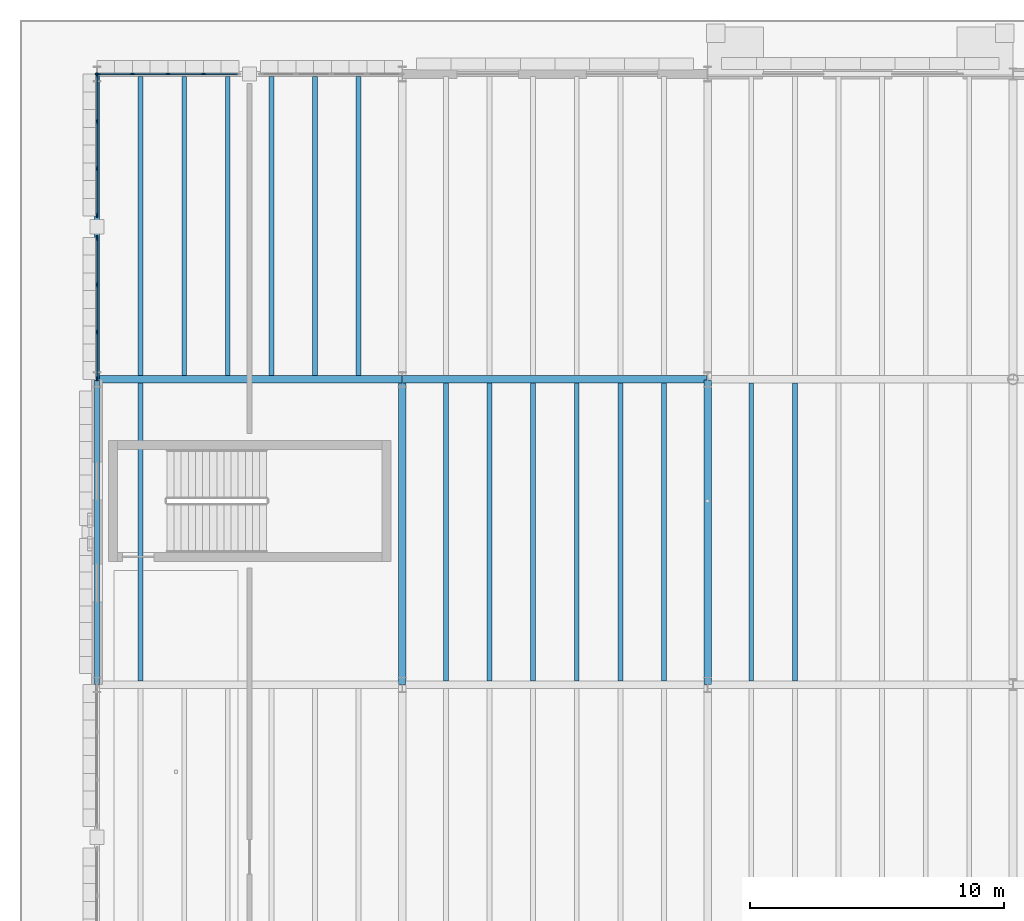
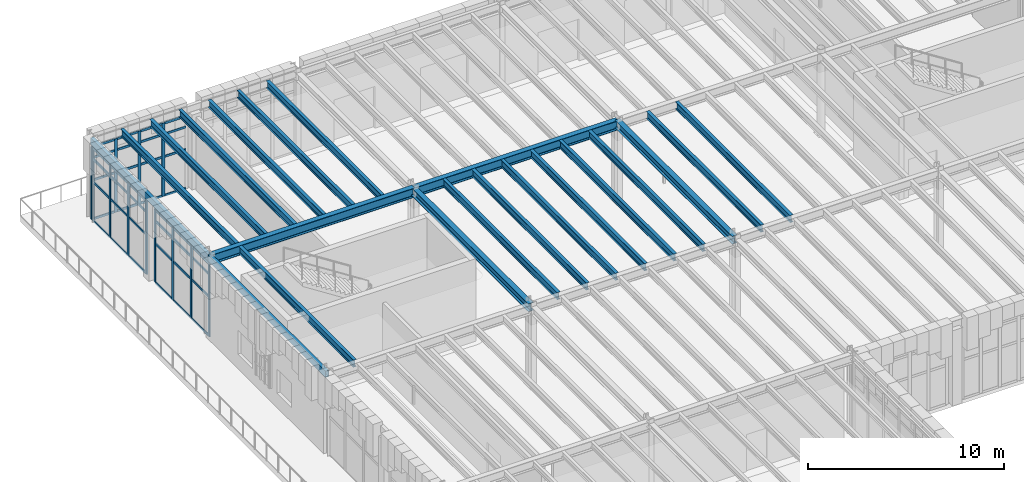
# One storey, part 22 of 103: 52 members, 21 beams, 3 elements without a shape of their own.
"""IFC4 building model written with IfcOpenShell, lengths in metres."""

from ifc_helpers import new_model, si_unit, direction, frame, origin, origin_2d, place, context, subcontext, project, spatial, rectangle, hollow_rectangle, i_section, extrude, material, layer, layer_set, material_profile, profile_set, type_object, element, aggregate, save


model = new_model("IFC4")

# Units and contexts
model_context = context("Model", 3, precision=1e-05, world=origin(), true_north=direction((0.0, 1.0)))
body_context = subcontext(model_context, "Body", "Model", "MODEL_VIEW")
ifc_project = project(units=[si_unit("LENGTHUNIT", "METRE"), si_unit("AREAUNIT", "SQUARE_METRE"), si_unit("VOLUMEUNIT", "CUBIC_METRE"), si_unit("PLANEANGLEUNIT", "RADIAN"), si_unit("MASSUNIT", "GRAM", prefix="KILO")], contexts=[model_context])

# Site, building, storey
site_placement = place(None, origin())
site = spatial("IfcSite", under=ifc_project, at=site_placement, CompositionType="ELEMENT")
building_placement = place(site_placement, origin())
building = spatial("IfcBuilding", under=site, at=building_placement, Name="Zlatogorsky Bluff Art Gallery", CompositionType="ELEMENT")
storey_placement = place(building_placement, origin())
storey = spatial("IfcBuildingStorey", under=building, at=storey_placement, Name="L00", CompositionType="ELEMENT", Elevation=0.0)

# Beams
ifc_material_1 = material(Name="Steel S355", Category="steel")
ifc_material_profile_1 = material_profile(ifc_material_1, i_section(OverallWidth=0.300048828125, OverallDepth=0.590087890625, WebThickness=0.012939453125, FlangeThickness=0.02490234375, FilletRadius=0.027099609375, at=origin_2d()), Name="HEA 600")
ifc_profile_set_1 = profile_set([ifc_material_profile_1], Name="Steel S355")
beam_type_1 = type_object("IfcBeamType", Name="Beam BM-05 HEA 600", PredefinedType="BEAM", material=ifc_profile_set_1)
for number, where, z_axis, x_axis, name in (
    (1, (0.014892578125, 108.0, 4.844970703125), (1.0, 0.0, 0.0), (0.0, 1.0, 0.0), "Primary girder BM-05 L00 A-B/11"),
    (2, (12.014892578125, 108.0, 4.844970703125), (1.0, 0.0, 0.0), (0.0, 1.0, 0.0), "Primary girder BM-05 L00 B-C/11"),
):
    element("IfcBeam", number, at=place(storey_placement, frame(where, z_axis=z_axis, x_axis=x_axis)), inside=storey, type_object=beam_type_1, Name=name, PredefinedType="BEAM", context=body_context, shape_type="SweptSolid", body=[
        extrude(i_section(OverallWidth=0.300048828125, OverallDepth=0.590087890625, WebThickness=0.012939453125, FlangeThickness=0.02490234375, FilletRadius=0.027099609375, at=origin_2d()), origin(), (0.0, 0.0, 1.0), 11.97021484375),
    ])
ifc_material_profile_2 = material_profile(ifc_material_1, i_section(OverallWidth=0.300048828125, OverallDepth=0.489990234375, WebThickness=0.011962890625, FlangeThickness=0.02294921875, FilletRadius=0.027099609375, at=origin_2d()), Name="HEA 500")
ifc_profile_set_2 = profile_set([ifc_material_profile_2], Name="Steel S355")
beam_type_2 = type_object("IfcBeamType", Name="Beam BM-07 HEA 500", PredefinedType="BEAM", material=ifc_profile_set_2)
for number, where, z_axis, x_axis, name in (
    (3, (12.0, 96.014892578125, 4.89501953125), (0.0, 1.0, 0.0), (-1.0, 0.0, 0.0), "Primary girder BM-07 L00 B/10-11"),
    (4, (24.0, 96.014892578125, 4.89501953125), (0.0, 1.0, 0.0), (-1.0, 0.0, 0.0), "Primary girder BM-07 L00 C/10-11"),
):
    element("IfcBeam", number, at=place(storey_placement, frame(where, z_axis=z_axis, x_axis=x_axis)), inside=storey, type_object=beam_type_2, Name=name, PredefinedType="BEAM", context=body_context, shape_type="SweptSolid", body=[
        extrude(i_section(OverallWidth=0.300048828125, OverallDepth=0.489990234375, WebThickness=0.011962890625, FlangeThickness=0.02294921875, FilletRadius=0.027099609375, at=origin_2d()), origin(), (0.0, 0.0, 1.0), 11.97021484375),
    ])
ifc_material_profile_3 = material_profile(ifc_material_1, i_section(OverallWidth=0.18994140625, OverallDepth=0.449951171875, WebThickness=0.009521484375, FlangeThickness=0.0146484375, FilletRadius=0.02099609375, at=origin_2d()), Name="IPE 450")
ifc_profile_set_3 = profile_set([ifc_material_profile_3], Name="Steel S355")
beam_type_3 = type_object("IfcBeamType", Name="Beam JS-06 IPE 450", PredefinedType="JOIST", material=ifc_profile_set_3)
beam_placement = place(storey_placement, frame((1.71435546875, 96.14990234375, 4.9150390625), z_axis=(0.0, 1.0, 0.0), x_axis=(-1.0, 0.0, 0.0)))
element("IfcBeam", 5, at=beam_placement, inside=storey, type_object=beam_type_3, Name="Composite floor joist JS-06 L00 00.09.1", PredefinedType="JOIST", context=body_context, shape_type="SweptSolid", body=[
    extrude(i_section(OverallWidth=0.18994140625, OverallDepth=0.449951171875, WebThickness=0.009521484375, FlangeThickness=0.0146484375, FilletRadius=0.02099609375, at=origin_2d()), origin(), (0.0, 0.0, 1.0), 11.7001953125),
])
for number, where, z_axis, x_axis, name in (
    (6, (1.71435546875, 108.14990234375, 4.9150390625), (0.0, 1.0, 0.0), (-1.0, 0.0, 0.0), "Composite floor joist JS-06 L00 00.10.1"),
    (7, (3.428466796875, 108.14990234375, 4.9150390625), (0.0, 1.0, 0.0), (-1.0, 0.0, 0.0), "Composite floor joist JS-06 L00 00.10.2"),
    (8, (5.142822265625, 108.14990234375, 4.9150390625), (0.0, 1.0, 0.0), (-1.0, 0.0, 0.0), "Composite floor joist JS-06 L00 00.10.3"),
    (9, (6.857177734375, 108.14990234375, 4.9150390625), (0.0, 1.0, 0.0), (-1.0, 0.0, 0.0), "Composite floor joist JS-06 L00 00.10.4"),
    (10, (8.571533203125, 108.14990234375, 4.9150390625), (0.0, 1.0, 0.0), (-1.0, 0.0, 0.0), "Composite floor joist JS-06 L00 00.10.5"),
    (11, (10.28564453125, 108.14990234375, 4.9150390625), (0.0, 1.0, 0.0), (-1.0, 0.0, 0.0), "Composite floor joist JS-06 L00 00.10.6"),
):
    element("IfcBeam", number, at=place(storey_placement, frame(where, z_axis=z_axis, x_axis=x_axis)), inside=storey, type_object=beam_type_3, Name=name, PredefinedType="JOIST", context=body_context, shape_type="SweptSolid", body=[
        extrude(i_section(OverallWidth=0.18994140625, OverallDepth=0.449951171875, WebThickness=0.009521484375, FlangeThickness=0.0146484375, FilletRadius=0.02099609375, at=origin_2d()), origin(), (0.0, 0.0, 1.0), 11.75),
    ])
for number, where, z_axis, x_axis, name in (
    (12, (13.71435546875, 96.14990234375, 4.9150390625), (0.0, 1.0, 0.0), (-1.0, 0.0, 0.0), "Composite floor joist JS-06 L00 01.09.1"),
    (13, (15.428466796875, 96.14990234375, 4.9150390625), (0.0, 1.0, 0.0), (-1.0, 0.0, 0.0), "Composite floor joist JS-06 L00 01.09.2"),
    (14, (17.142822265625, 96.14990234375, 4.9150390625), (0.0, 1.0, 0.0), (-1.0, 0.0, 0.0), "Composite floor joist JS-06 L00 01.09.3"),
    (15, (18.857177734375, 96.14990234375, 4.9150390625), (0.0, 1.0, 0.0), (-1.0, 0.0, 0.0), "Composite floor joist JS-06 L00 01.09.4"),
    (16, (20.571533203125, 96.14990234375, 4.9150390625), (0.0, 1.0, 0.0), (-1.0, 0.0, 0.0), "Composite floor joist JS-06 L00 01.09.5"),
    (17, (22.28564453125, 96.14990234375, 4.9150390625), (0.0, 1.0, 0.0), (-1.0, 0.0, 0.0), "Composite floor joist JS-06 L00 01.09.6"),
    (18, (25.71435546875, 96.14990234375, 4.9150390625), (0.0, 1.0, 0.0), (-1.0, 0.0, 0.0), "Composite floor joist JS-06 L00 02.09.1"),
    (19, (27.428466796875, 96.14990234375, 4.9150390625), (0.0, 1.0, 0.0), (-1.0, 0.0, 0.0), "Composite floor joist JS-06 L00 02.09.2"),
):
    element("IfcBeam", number, at=place(storey_placement, frame(where, z_axis=z_axis, x_axis=x_axis)), inside=storey, type_object=beam_type_3, Name=name, PredefinedType="JOIST", context=body_context, shape_type="SweptSolid", body=[
        extrude(i_section(OverallWidth=0.18994140625, OverallDepth=0.449951171875, WebThickness=0.009521484375, FlangeThickness=0.0146484375, FilletRadius=0.02099609375, at=origin_2d()), origin(), (0.0, 0.0, 1.0), 11.7001953125),
    ])
ifc_material_profile_4 = material_profile(ifc_material_1, hollow_rectangle(XDim=0.199951171875, YDim=0.39990234375, WallThickness=0.01611328125, at=origin_2d()), Name="RHS 400x200x16")
ifc_profile_set_4 = profile_set([ifc_material_profile_4], Name="Steel S355")
beam_type_4 = type_object("IfcBeamType", Name="Beam SP-02 RHS 400x200x16", PredefinedType="SPANDREL", material=ifc_profile_set_4)
for number, where, z_axis, x_axis, name in (
    (20, (0.0, 96.014892578125, 4.93994140625), (0.0, 1.0, 0.0), (-1.0, 0.0, 0.0), "Primary girder SP-02 L00 A/10-11"),
    (21, (0.0, 108.014892578125, 4.93994140625), (0.0, 1.0, 0.0), (-1.0, 0.0, 0.0), "Primary girder SP-02 L00 A/11-12"),
):
    element("IfcBeam", number, at=place(storey_placement, frame(where, z_axis=z_axis, x_axis=x_axis)), inside=storey, type_object=beam_type_4, Name=name, PredefinedType="SPANDREL", context=body_context, shape_type="SweptSolid", body=[
        extrude(hollow_rectangle(XDim=0.199951171875, YDim=0.39990234375, WallThickness=0.01611328125, at=origin_2d()), origin(), (0.0, 0.0, 1.0), 11.97021484375),
    ])

# Curtain wall, members
ifc_material_2 = material(Name="Anodised Bronze Aluminium and Low-Iron Triple Glazing", Category="aluminium")
ifc_layer_1 = layer(ifc_material_2, 0.199951171875)
ifc_layer_set_1 = layer_set([ifc_layer_1], Name="Curtain Wall CW-02")
curtain_wall_type_1 = type_object("IfcCurtainWallType", Name="Curtain Wall CW-02", PredefinedType="USERDEFINED", material=ifc_layer_set_1)
curtain_wall_1_placement = place(storey_placement, origin())
curtain_wall_1 = element("IfcCurtainWall", 22, at=curtain_wall_1_placement, inside=storey, type_object=curtain_wall_type_1, Name="Unitised curtain wall CW-02 L00 N 0.10-B", ObjectType="CURTAIN WALL", PredefinedType="USERDEFINED")
ifc_material_3 = material(Name="Anodised Bronze Aluminium", Category="aluminium")
ifc_material_profile_5 = material_profile(ifc_material_3, rectangle(XDim=0.06494140625, YDim=0.179931640625, at=origin_2d()), Name="ALU MULLION 65x180")
ifc_profile_set_5 = profile_set([ifc_material_profile_5], Name="Anodised Bronze Aluminium")
member_type_1 = type_object("IfcMemberType", Name="Curtain Mullion ML-01", PredefinedType="MULLION", material=ifc_profile_set_5)
member_1_placement = place(storey_placement, frame((4.18505859375, 120.0, 0.0), z_axis=(0.0, 0.0, 1.0), x_axis=(0.0, -1.0, 0.0)))
member_1 = element("IfcMember", 23, at=member_1_placement, type_object=member_type_1, Name="CW-02 mullion 2", PredefinedType="MULLION", context=body_context, shape_type="SweptSolid", body=[
    extrude(rectangle(XDim=0.06494140625, YDim=0.179931640625, at=origin_2d()), origin(), (0.0, 0.0, 1.0), 4.56005859375),
])
member_2_placement = place(storey_placement, frame((2.7900390625, 120.0, 0.0), z_axis=(0.0, 0.0, 1.0), x_axis=(0.0, -1.0, 0.0)))
member_2 = element("IfcMember", 24, at=member_2_placement, type_object=member_type_1, Name="CW-02 mullion 3", PredefinedType="MULLION", context=body_context, shape_type="SweptSolid", body=[
    extrude(rectangle(XDim=0.06494140625, YDim=0.179931640625, at=origin_2d()), origin(), (0.0, 0.0, 1.0), 4.56005859375),
])
member_3_placement = place(storey_placement, frame((1.39501953125, 120.0, 0.0), z_axis=(0.0, 0.0, 1.0), x_axis=(0.0, -1.0, 0.0)))
member_3 = element("IfcMember", 25, at=member_3_placement, type_object=member_type_1, Name="CW-02 mullion 4", PredefinedType="MULLION", context=body_context, shape_type="SweptSolid", body=[
    extrude(rectangle(XDim=0.06494140625, YDim=0.179931640625, at=origin_2d()), origin(), (0.0, 0.0, 1.0), 4.56005859375),
])
member_4_placement = place(storey_placement, frame((0.032470703125, 120.0, 0.0), z_axis=(0.0, 0.0, 1.0), x_axis=(0.0, -1.0, 0.0)))
member_4 = element("IfcMember", 26, at=member_4_placement, type_object=member_type_1, Name="CW-02 mullion 5", PredefinedType="MULLION", context=body_context, shape_type="SweptSolid", body=[
    extrude(rectangle(XDim=0.06494140625, YDim=0.179931640625, at=origin_2d()), origin(), (0.0, 0.0, 1.0), 4.56005859375),
])

ifc_layer_2 = layer(ifc_material_2, 0.219970703125)
ifc_layer_set_2 = layer_set([ifc_layer_2], Name="Curtain Wall CW-04")
curtain_wall_type_2 = type_object("IfcCurtainWallType", Name="Curtain Wall CW-04", PredefinedType="USERDEFINED", material=ifc_layer_set_2)
curtain_wall_2_placement = place(storey_placement, origin())
curtain_wall_2 = element("IfcCurtainWall", 27, at=curtain_wall_2_placement, inside=storey, type_object=curtain_wall_type_2, Name="Unitised curtain wall CW-04 L00 W 0.10-A", ObjectType="CURTAIN WALL", PredefinedType="USERDEFINED")
member_5_placement = place(storey_placement, frame((0.0, 119.967529296875, 0.0), z_axis=(0.0, 0.0, 1.0), x_axis=(1.0, 0.0, 0.0)))
member_5 = element("IfcMember", 28, at=member_5_placement, type_object=member_type_1, Name="CW-04 mullion 1", PredefinedType="MULLION", context=body_context, shape_type="SweptSolid", body=[
    extrude(rectangle(XDim=0.06494140625, YDim=0.179931640625, at=origin_2d()), origin(), (0.0, 0.0, 1.0), 4.56005859375),
])
member_6_placement = place(storey_placement, frame((0.0, 118.139892578125, 0.0), z_axis=(0.0, 0.0, 1.0), x_axis=(1.0, 0.0, 0.0)))
member_6 = element("IfcMember", 29, at=member_6_placement, type_object=member_type_1, Name="CW-04 mullion 2", PredefinedType="MULLION", context=body_context, shape_type="SweptSolid", body=[
    extrude(rectangle(XDim=0.06494140625, YDim=0.179931640625, at=origin_2d()), origin(), (0.0, 0.0, 1.0), 4.56005859375),
])
member_7_placement = place(storey_placement, frame((0.0, 116.280029296875, 0.0), z_axis=(0.0, 0.0, 1.0), x_axis=(1.0, 0.0, 0.0)))
member_7 = element("IfcMember", 30, at=member_7_placement, type_object=member_type_1, Name="CW-04 mullion 3", PredefinedType="MULLION", context=body_context, shape_type="SweptSolid", body=[
    extrude(rectangle(XDim=0.06494140625, YDim=0.179931640625, at=origin_2d()), origin(), (0.0, 0.0, 1.0), 4.56005859375),
])
member_8_placement = place(storey_placement, frame((0.0, 114.452392578125, 0.0), z_axis=(0.0, 0.0, 1.0), x_axis=(1.0, 0.0, 0.0)))
member_8 = element("IfcMember", 31, at=member_8_placement, type_object=member_type_1, Name="CW-04 mullion 4", PredefinedType="MULLION", context=body_context, shape_type="SweptSolid", body=[
    extrude(rectangle(XDim=0.06494140625, YDim=0.179931640625, at=origin_2d()), origin(), (0.0, 0.0, 1.0), 4.56005859375),
])

curtain_wall_3_placement = place(storey_placement, origin())
curtain_wall_3 = element("IfcCurtainWall", 32, at=curtain_wall_3_placement, inside=storey, type_object=curtain_wall_type_2, Name="Unitised curtain wall CW-04 L00 W 0.10-B", ObjectType="CURTAIN WALL", PredefinedType="USERDEFINED")
member_9_placement = place(storey_placement, frame((0.0, 113.547607421875, 0.0), z_axis=(0.0, 0.0, 1.0), x_axis=(1.0, 0.0, 0.0)))
member_9 = element("IfcMember", 33, at=member_9_placement, type_object=member_type_1, Name="CW-04 mullion 1", PredefinedType="MULLION", context=body_context, shape_type="SweptSolid", body=[
    extrude(rectangle(XDim=0.06494140625, YDim=0.179931640625, at=origin_2d()), origin(), (0.0, 0.0, 1.0), 4.56005859375),
])
member_10_placement = place(storey_placement, frame((0.0, 111.719970703125, 0.0), z_axis=(0.0, 0.0, 1.0), x_axis=(1.0, 0.0, 0.0)))
member_10 = element("IfcMember", 34, at=member_10_placement, type_object=member_type_1, Name="CW-04 mullion 2", PredefinedType="MULLION", context=body_context, shape_type="SweptSolid", body=[
    extrude(rectangle(XDim=0.06494140625, YDim=0.179931640625, at=origin_2d()), origin(), (0.0, 0.0, 1.0), 4.56005859375),
])
member_11_placement = place(storey_placement, frame((0.0, 109.860107421875, 0.0), z_axis=(0.0, 0.0, 1.0), x_axis=(1.0, 0.0, 0.0)))
member_11 = element("IfcMember", 35, at=member_11_placement, type_object=member_type_1, Name="CW-04 mullion 3", PredefinedType="MULLION", context=body_context, shape_type="SweptSolid", body=[
    extrude(rectangle(XDim=0.06494140625, YDim=0.179931640625, at=origin_2d()), origin(), (0.0, 0.0, 1.0), 4.56005859375),
])
member_12_placement = place(storey_placement, frame((0.0, 108.032470703125, 0.0), z_axis=(0.0, 0.0, 1.0), x_axis=(1.0, 0.0, 0.0)))
member_12 = element("IfcMember", 36, at=member_12_placement, type_object=member_type_1, Name="CW-04 mullion 4", PredefinedType="MULLION", context=body_context, shape_type="SweptSolid", body=[
    extrude(rectangle(XDim=0.06494140625, YDim=0.179931640625, at=origin_2d()), origin(), (0.0, 0.0, 1.0), 4.56005859375),
])

# Member
ifc_material_profile_6 = material_profile(ifc_material_3, rectangle(XDim=0.06494140625, YDim=0.139892578125, at=origin_2d()), Name="ALU TRANSOM 65x140")
ifc_profile_set_6 = profile_set([ifc_material_profile_6], Name="Anodised Bronze Aluminium")
member_type_2 = type_object("IfcMemberType", Name="Curtain Transom TR-01", PredefinedType="USERDEFINED", material=ifc_profile_set_6)
member_13_placement = place(storey_placement, frame((5.514892578125, 120.0, 0.032470703125), z_axis=(-1.0, 0.0, 0.0), x_axis=(0.0, -1.0, 0.0)))
member_13 = element("IfcMember", 37, at=member_13_placement, type_object=member_type_2, Name="CW-02 transom 1.1", ObjectType="TRANSOM", PredefinedType="USERDEFINED", context=body_context, shape_type="SweptSolid", body=[
    extrude(rectangle(XDim=0.06494140625, YDim=0.139892578125, at=origin_2d()), origin(), (0.0, 0.0, 1.0), 1.29736328125),
])

member_14_placement = place(storey_placement, frame((5.514892578125, 120.0, 2.449951171875), z_axis=(-1.0, 0.0, 0.0), x_axis=(0.0, -1.0, 0.0)))
member_14 = element("IfcMember", 38, at=member_14_placement, type_object=member_type_2, Name="CW-02 transom 1.2", ObjectType="TRANSOM", PredefinedType="USERDEFINED", context=body_context, shape_type="SweptSolid", body=[
    extrude(rectangle(XDim=0.06494140625, YDim=0.139892578125, at=origin_2d()), origin(), (0.0, 0.0, 1.0), 1.29736328125),
])

member_15_placement = place(storey_placement, frame((5.514892578125, 120.0, 3.85009765625), z_axis=(-1.0, 0.0, 0.0), x_axis=(0.0, -1.0, 0.0)))
member_15 = element("IfcMember", 39, at=member_15_placement, type_object=member_type_2, Name="CW-02 transom 1.3", ObjectType="TRANSOM", PredefinedType="USERDEFINED", context=body_context, shape_type="SweptSolid", body=[
    extrude(rectangle(XDim=0.06494140625, YDim=0.139892578125, at=origin_2d()), origin(), (0.0, 0.0, 1.0), 1.29736328125),
])

member_16_placement = place(storey_placement, frame((5.514892578125, 120.0, 4.527587890625), z_axis=(-1.0, 0.0, 0.0), x_axis=(0.0, -1.0, 0.0)))
member_16 = element("IfcMember", 40, at=member_16_placement, type_object=member_type_2, Name="CW-02 transom 1.4", ObjectType="TRANSOM", PredefinedType="USERDEFINED", context=body_context, shape_type="SweptSolid", body=[
    extrude(rectangle(XDim=0.06494140625, YDim=0.139892578125, at=origin_2d()), origin(), (0.0, 0.0, 1.0), 1.29736328125),
])

member_17_placement = place(storey_placement, frame((4.152587890625, 120.0, 0.032470703125), z_axis=(-1.0, 0.0, 0.0), x_axis=(0.0, -1.0, 0.0)))
member_17 = element("IfcMember", 41, at=member_17_placement, type_object=member_type_2, Name="CW-02 transom 2.1", ObjectType="TRANSOM", PredefinedType="USERDEFINED", context=body_context, shape_type="SweptSolid", body=[
    extrude(rectangle(XDim=0.06494140625, YDim=0.139892578125, at=origin_2d()), origin(), (0.0, 0.0, 1.0), 1.330078125),
])

member_18_placement = place(storey_placement, frame((4.152587890625, 120.0, 2.449951171875), z_axis=(-1.0, 0.0, 0.0), x_axis=(0.0, -1.0, 0.0)))
member_18 = element("IfcMember", 42, at=member_18_placement, type_object=member_type_2, Name="CW-02 transom 2.2", ObjectType="TRANSOM", PredefinedType="USERDEFINED", context=body_context, shape_type="SweptSolid", body=[
    extrude(rectangle(XDim=0.06494140625, YDim=0.139892578125, at=origin_2d()), origin(), (0.0, 0.0, 1.0), 1.330078125),
])

member_19_placement = place(storey_placement, frame((4.152587890625, 120.0, 3.85009765625), z_axis=(-1.0, 0.0, 0.0), x_axis=(0.0, -1.0, 0.0)))
member_19 = element("IfcMember", 43, at=member_19_placement, type_object=member_type_2, Name="CW-02 transom 2.3", ObjectType="TRANSOM", PredefinedType="USERDEFINED", context=body_context, shape_type="SweptSolid", body=[
    extrude(rectangle(XDim=0.06494140625, YDim=0.139892578125, at=origin_2d()), origin(), (0.0, 0.0, 1.0), 1.330078125),
])

member_20_placement = place(storey_placement, frame((4.152587890625, 120.0, 4.527587890625), z_axis=(-1.0, 0.0, 0.0), x_axis=(0.0, -1.0, 0.0)))
member_20 = element("IfcMember", 44, at=member_20_placement, type_object=member_type_2, Name="CW-02 transom 2.4", ObjectType="TRANSOM", PredefinedType="USERDEFINED", context=body_context, shape_type="SweptSolid", body=[
    extrude(rectangle(XDim=0.06494140625, YDim=0.139892578125, at=origin_2d()), origin(), (0.0, 0.0, 1.0), 1.330078125),
])

member_21_placement = place(storey_placement, frame((2.757568359375, 120.0, 0.032470703125), z_axis=(-1.0, 0.0, 0.0), x_axis=(0.0, -1.0, 0.0)))
member_21 = element("IfcMember", 45, at=member_21_placement, type_object=member_type_2, Name="CW-02 transom 3.1", ObjectType="TRANSOM", PredefinedType="USERDEFINED", context=body_context, shape_type="SweptSolid", body=[
    extrude(rectangle(XDim=0.06494140625, YDim=0.139892578125, at=origin_2d()), origin(), (0.0, 0.0, 1.0), 1.330078125),
])

member_22_placement = place(storey_placement, frame((2.757568359375, 120.0, 2.449951171875), z_axis=(-1.0, 0.0, 0.0), x_axis=(0.0, -1.0, 0.0)))
member_22 = element("IfcMember", 46, at=member_22_placement, type_object=member_type_2, Name="CW-02 transom 3.2", ObjectType="TRANSOM", PredefinedType="USERDEFINED", context=body_context, shape_type="SweptSolid", body=[
    extrude(rectangle(XDim=0.06494140625, YDim=0.139892578125, at=origin_2d()), origin(), (0.0, 0.0, 1.0), 1.330078125),
])

member_23_placement = place(storey_placement, frame((2.757568359375, 120.0, 3.85009765625), z_axis=(-1.0, 0.0, 0.0), x_axis=(0.0, -1.0, 0.0)))
member_23 = element("IfcMember", 47, at=member_23_placement, type_object=member_type_2, Name="CW-02 transom 3.3", ObjectType="TRANSOM", PredefinedType="USERDEFINED", context=body_context, shape_type="SweptSolid", body=[
    extrude(rectangle(XDim=0.06494140625, YDim=0.139892578125, at=origin_2d()), origin(), (0.0, 0.0, 1.0), 1.330078125),
])

member_24_placement = place(storey_placement, frame((2.757568359375, 120.0, 4.527587890625), z_axis=(-1.0, 0.0, 0.0), x_axis=(0.0, -1.0, 0.0)))
member_24 = element("IfcMember", 48, at=member_24_placement, type_object=member_type_2, Name="CW-02 transom 3.4", ObjectType="TRANSOM", PredefinedType="USERDEFINED", context=body_context, shape_type="SweptSolid", body=[
    extrude(rectangle(XDim=0.06494140625, YDim=0.139892578125, at=origin_2d()), origin(), (0.0, 0.0, 1.0), 1.330078125),
])

member_25_placement = place(storey_placement, frame((1.362548828125, 120.0, 0.032470703125), z_axis=(-1.0, 0.0, 0.0), x_axis=(0.0, -1.0, 0.0)))
member_25 = element("IfcMember", 49, at=member_25_placement, type_object=member_type_2, Name="CW-02 transom 4.1", ObjectType="TRANSOM", PredefinedType="USERDEFINED", context=body_context, shape_type="SweptSolid", body=[
    extrude(rectangle(XDim=0.06494140625, YDim=0.139892578125, at=origin_2d()), origin(), (0.0, 0.0, 1.0), 1.297607421875),
])

member_26_placement = place(storey_placement, frame((1.362548828125, 120.0, 2.449951171875), z_axis=(-1.0, 0.0, 0.0), x_axis=(0.0, -1.0, 0.0)))
member_26 = element("IfcMember", 50, at=member_26_placement, type_object=member_type_2, Name="CW-02 transom 4.2", ObjectType="TRANSOM", PredefinedType="USERDEFINED", context=body_context, shape_type="SweptSolid", body=[
    extrude(rectangle(XDim=0.06494140625, YDim=0.139892578125, at=origin_2d()), origin(), (0.0, 0.0, 1.0), 1.297607421875),
])

member_27_placement = place(storey_placement, frame((1.362548828125, 120.0, 3.85009765625), z_axis=(-1.0, 0.0, 0.0), x_axis=(0.0, -1.0, 0.0)))
member_27 = element("IfcMember", 51, at=member_27_placement, type_object=member_type_2, Name="CW-02 transom 4.3", ObjectType="TRANSOM", PredefinedType="USERDEFINED", context=body_context, shape_type="SweptSolid", body=[
    extrude(rectangle(XDim=0.06494140625, YDim=0.139892578125, at=origin_2d()), origin(), (0.0, 0.0, 1.0), 1.297607421875),
])

member_28_placement = place(storey_placement, frame((1.362548828125, 120.0, 4.527587890625), z_axis=(-1.0, 0.0, 0.0), x_axis=(0.0, -1.0, 0.0)))
member_28 = element("IfcMember", 52, at=member_28_placement, type_object=member_type_2, Name="CW-02 transom 4.4", ObjectType="TRANSOM", PredefinedType="USERDEFINED", context=body_context, shape_type="SweptSolid", body=[
    extrude(rectangle(XDim=0.06494140625, YDim=0.139892578125, at=origin_2d()), origin(), (0.0, 0.0, 1.0), 1.297607421875),
])

aggregate(curtain_wall_1, [member_1, member_2, member_3, member_4, member_13, member_14, member_15, member_16, member_17, member_18, member_19, member_20, member_21, member_22, member_23, member_24, member_25, member_26, member_27, member_28])

member_29_placement = place(storey_placement, frame((0.0, 119.93505859375, 0.032470703125), z_axis=(0.0, -1.0, 0.0), x_axis=(1.0, 0.0, 0.0)))
member_29 = element("IfcMember", 53, at=member_29_placement, type_object=member_type_2, Name="CW-04 transom 1.1", ObjectType="TRANSOM", PredefinedType="USERDEFINED", context=body_context, shape_type="SweptSolid", body=[
    extrude(rectangle(XDim=0.06494140625, YDim=0.139892578125, at=origin_2d()), origin(), (0.0, 0.0, 1.0), 1.762451171875),
])

member_30_placement = place(storey_placement, frame((0.0, 119.93505859375, 2.449951171875), z_axis=(0.0, -1.0, 0.0), x_axis=(1.0, 0.0, 0.0)))
member_30 = element("IfcMember", 54, at=member_30_placement, type_object=member_type_2, Name="CW-04 transom 1.2", ObjectType="TRANSOM", PredefinedType="USERDEFINED", context=body_context, shape_type="SweptSolid", body=[
    extrude(rectangle(XDim=0.06494140625, YDim=0.139892578125, at=origin_2d()), origin(), (0.0, 0.0, 1.0), 1.762451171875),
])

member_31_placement = place(storey_placement, frame((0.0, 119.93505859375, 3.85009765625), z_axis=(0.0, -1.0, 0.0), x_axis=(1.0, 0.0, 0.0)))
member_31 = element("IfcMember", 55, at=member_31_placement, type_object=member_type_2, Name="CW-04 transom 1.3", ObjectType="TRANSOM", PredefinedType="USERDEFINED", context=body_context, shape_type="SweptSolid", body=[
    extrude(rectangle(XDim=0.06494140625, YDim=0.139892578125, at=origin_2d()), origin(), (0.0, 0.0, 1.0), 1.762451171875),
])

member_32_placement = place(storey_placement, frame((0.0, 119.93505859375, 4.527587890625), z_axis=(0.0, -1.0, 0.0), x_axis=(1.0, 0.0, 0.0)))
member_32 = element("IfcMember", 56, at=member_32_placement, type_object=member_type_2, Name="CW-04 transom 1.4", ObjectType="TRANSOM", PredefinedType="USERDEFINED", context=body_context, shape_type="SweptSolid", body=[
    extrude(rectangle(XDim=0.06494140625, YDim=0.139892578125, at=origin_2d()), origin(), (0.0, 0.0, 1.0), 1.762451171875),
])

member_33_placement = place(storey_placement, frame((0.0, 118.107421875, 0.032470703125), z_axis=(0.0, -1.0, 0.0), x_axis=(1.0, 0.0, 0.0)))
member_33 = element("IfcMember", 57, at=member_33_placement, type_object=member_type_2, Name="CW-04 transom 2.1", ObjectType="TRANSOM", PredefinedType="USERDEFINED", context=body_context, shape_type="SweptSolid", body=[
    extrude(rectangle(XDim=0.06494140625, YDim=0.139892578125, at=origin_2d()), origin(), (0.0, 0.0, 1.0), 1.794921875),
])

member_34_placement = place(storey_placement, frame((0.0, 118.107421875, 2.449951171875), z_axis=(0.0, -1.0, 0.0), x_axis=(1.0, 0.0, 0.0)))
member_34 = element("IfcMember", 58, at=member_34_placement, type_object=member_type_2, Name="CW-04 transom 2.2", ObjectType="TRANSOM", PredefinedType="USERDEFINED", context=body_context, shape_type="SweptSolid", body=[
    extrude(rectangle(XDim=0.06494140625, YDim=0.139892578125, at=origin_2d()), origin(), (0.0, 0.0, 1.0), 1.794921875),
])

member_35_placement = place(storey_placement, frame((0.0, 118.107421875, 3.85009765625), z_axis=(0.0, -1.0, 0.0), x_axis=(1.0, 0.0, 0.0)))
member_35 = element("IfcMember", 59, at=member_35_placement, type_object=member_type_2, Name="CW-04 transom 2.3", ObjectType="TRANSOM", PredefinedType="USERDEFINED", context=body_context, shape_type="SweptSolid", body=[
    extrude(rectangle(XDim=0.06494140625, YDim=0.139892578125, at=origin_2d()), origin(), (0.0, 0.0, 1.0), 1.794921875),
])

member_36_placement = place(storey_placement, frame((0.0, 118.107421875, 4.527587890625), z_axis=(0.0, -1.0, 0.0), x_axis=(1.0, 0.0, 0.0)))
member_36 = element("IfcMember", 60, at=member_36_placement, type_object=member_type_2, Name="CW-04 transom 2.4", ObjectType="TRANSOM", PredefinedType="USERDEFINED", context=body_context, shape_type="SweptSolid", body=[
    extrude(rectangle(XDim=0.06494140625, YDim=0.139892578125, at=origin_2d()), origin(), (0.0, 0.0, 1.0), 1.794921875),
])

member_37_placement = place(storey_placement, frame((0.0, 116.24755859375, 0.032470703125), z_axis=(0.0, -1.0, 0.0), x_axis=(1.0, 0.0, 0.0)))
member_37 = element("IfcMember", 61, at=member_37_placement, type_object=member_type_2, Name="CW-04 transom 3.1", ObjectType="TRANSOM", PredefinedType="USERDEFINED", context=body_context, shape_type="SweptSolid", body=[
    extrude(rectangle(XDim=0.06494140625, YDim=0.139892578125, at=origin_2d()), origin(), (0.0, 0.0, 1.0), 1.762451171875),
])

member_38_placement = place(storey_placement, frame((0.0, 116.24755859375, 2.449951171875), z_axis=(0.0, -1.0, 0.0), x_axis=(1.0, 0.0, 0.0)))
member_38 = element("IfcMember", 62, at=member_38_placement, type_object=member_type_2, Name="CW-04 transom 3.2", ObjectType="TRANSOM", PredefinedType="USERDEFINED", context=body_context, shape_type="SweptSolid", body=[
    extrude(rectangle(XDim=0.06494140625, YDim=0.139892578125, at=origin_2d()), origin(), (0.0, 0.0, 1.0), 1.762451171875),
])

member_39_placement = place(storey_placement, frame((0.0, 116.24755859375, 3.85009765625), z_axis=(0.0, -1.0, 0.0), x_axis=(1.0, 0.0, 0.0)))
member_39 = element("IfcMember", 63, at=member_39_placement, type_object=member_type_2, Name="CW-04 transom 3.3", ObjectType="TRANSOM", PredefinedType="USERDEFINED", context=body_context, shape_type="SweptSolid", body=[
    extrude(rectangle(XDim=0.06494140625, YDim=0.139892578125, at=origin_2d()), origin(), (0.0, 0.0, 1.0), 1.762451171875),
])

member_40_placement = place(storey_placement, frame((0.0, 116.24755859375, 4.527587890625), z_axis=(0.0, -1.0, 0.0), x_axis=(1.0, 0.0, 0.0)))
member_40 = element("IfcMember", 64, at=member_40_placement, type_object=member_type_2, Name="CW-04 transom 3.4", ObjectType="TRANSOM", PredefinedType="USERDEFINED", context=body_context, shape_type="SweptSolid", body=[
    extrude(rectangle(XDim=0.06494140625, YDim=0.139892578125, at=origin_2d()), origin(), (0.0, 0.0, 1.0), 1.762451171875),
])

aggregate(curtain_wall_2, [member_5, member_6, member_7, member_8, member_29, member_30, member_31, member_32, member_33, member_34, member_35, member_36, member_37, member_38, member_39, member_40])

member_41_placement = place(storey_placement, frame((0.0, 113.514892578125, 0.032470703125), z_axis=(0.0, -1.0, 0.0), x_axis=(1.0, 0.0, 0.0)))
member_41 = element("IfcMember", 65, at=member_41_placement, type_object=member_type_2, Name="CW-04 transom 1.1", ObjectType="TRANSOM", PredefinedType="USERDEFINED", context=body_context, shape_type="SweptSolid", body=[
    extrude(rectangle(XDim=0.06494140625, YDim=0.139892578125, at=origin_2d()), origin(), (0.0, 0.0, 1.0), 1.762451171875),
])

member_42_placement = place(storey_placement, frame((0.0, 113.514892578125, 2.449951171875), z_axis=(0.0, -1.0, 0.0), x_axis=(1.0, 0.0, 0.0)))
member_42 = element("IfcMember", 66, at=member_42_placement, type_object=member_type_2, Name="CW-04 transom 1.2", ObjectType="TRANSOM", PredefinedType="USERDEFINED", context=body_context, shape_type="SweptSolid", body=[
    extrude(rectangle(XDim=0.06494140625, YDim=0.139892578125, at=origin_2d()), origin(), (0.0, 0.0, 1.0), 1.762451171875),
])

member_43_placement = place(storey_placement, frame((0.0, 113.514892578125, 3.85009765625), z_axis=(0.0, -1.0, 0.0), x_axis=(1.0, 0.0, 0.0)))
member_43 = element("IfcMember", 67, at=member_43_placement, type_object=member_type_2, Name="CW-04 transom 1.3", ObjectType="TRANSOM", PredefinedType="USERDEFINED", context=body_context, shape_type="SweptSolid", body=[
    extrude(rectangle(XDim=0.06494140625, YDim=0.139892578125, at=origin_2d()), origin(), (0.0, 0.0, 1.0), 1.762451171875),
])

member_44_placement = place(storey_placement, frame((0.0, 113.514892578125, 4.527587890625), z_axis=(0.0, -1.0, 0.0), x_axis=(1.0, 0.0, 0.0)))
member_44 = element("IfcMember", 68, at=member_44_placement, type_object=member_type_2, Name="CW-04 transom 1.4", ObjectType="TRANSOM", PredefinedType="USERDEFINED", context=body_context, shape_type="SweptSolid", body=[
    extrude(rectangle(XDim=0.06494140625, YDim=0.139892578125, at=origin_2d()), origin(), (0.0, 0.0, 1.0), 1.762451171875),
])

member_45_placement = place(storey_placement, frame((0.0, 111.6875, 0.032470703125), z_axis=(0.0, -1.0, 0.0), x_axis=(1.0, 0.0, 0.0)))
member_45 = element("IfcMember", 69, at=member_45_placement, type_object=member_type_2, Name="CW-04 transom 2.1", ObjectType="TRANSOM", PredefinedType="USERDEFINED", context=body_context, shape_type="SweptSolid", body=[
    extrude(rectangle(XDim=0.06494140625, YDim=0.139892578125, at=origin_2d()), origin(), (0.0, 0.0, 1.0), 1.794921875),
])

member_46_placement = place(storey_placement, frame((0.0, 111.6875, 2.449951171875), z_axis=(0.0, -1.0, 0.0), x_axis=(1.0, 0.0, 0.0)))
member_46 = element("IfcMember", 70, at=member_46_placement, type_object=member_type_2, Name="CW-04 transom 2.2", ObjectType="TRANSOM", PredefinedType="USERDEFINED", context=body_context, shape_type="SweptSolid", body=[
    extrude(rectangle(XDim=0.06494140625, YDim=0.139892578125, at=origin_2d()), origin(), (0.0, 0.0, 1.0), 1.794921875),
])

member_47_placement = place(storey_placement, frame((0.0, 111.6875, 3.85009765625), z_axis=(0.0, -1.0, 0.0), x_axis=(1.0, 0.0, 0.0)))
member_47 = element("IfcMember", 71, at=member_47_placement, type_object=member_type_2, Name="CW-04 transom 2.3", ObjectType="TRANSOM", PredefinedType="USERDEFINED", context=body_context, shape_type="SweptSolid", body=[
    extrude(rectangle(XDim=0.06494140625, YDim=0.139892578125, at=origin_2d()), origin(), (0.0, 0.0, 1.0), 1.794921875),
])

member_48_placement = place(storey_placement, frame((0.0, 111.6875, 4.527587890625), z_axis=(0.0, -1.0, 0.0), x_axis=(1.0, 0.0, 0.0)))
member_48 = element("IfcMember", 72, at=member_48_placement, type_object=member_type_2, Name="CW-04 transom 2.4", ObjectType="TRANSOM", PredefinedType="USERDEFINED", context=body_context, shape_type="SweptSolid", body=[
    extrude(rectangle(XDim=0.06494140625, YDim=0.139892578125, at=origin_2d()), origin(), (0.0, 0.0, 1.0), 1.794921875),
])

member_49_placement = place(storey_placement, frame((0.0, 109.827392578125, 0.032470703125), z_axis=(0.0, -1.0, 0.0), x_axis=(1.0, 0.0, 0.0)))
member_49 = element("IfcMember", 73, at=member_49_placement, type_object=member_type_2, Name="CW-04 transom 3.1", ObjectType="TRANSOM", PredefinedType="USERDEFINED", context=body_context, shape_type="SweptSolid", body=[
    extrude(rectangle(XDim=0.06494140625, YDim=0.139892578125, at=origin_2d()), origin(), (0.0, 0.0, 1.0), 1.762451171875),
])

member_50_placement = place(storey_placement, frame((0.0, 109.827392578125, 2.449951171875), z_axis=(0.0, -1.0, 0.0), x_axis=(1.0, 0.0, 0.0)))
member_50 = element("IfcMember", 74, at=member_50_placement, type_object=member_type_2, Name="CW-04 transom 3.2", ObjectType="TRANSOM", PredefinedType="USERDEFINED", context=body_context, shape_type="SweptSolid", body=[
    extrude(rectangle(XDim=0.06494140625, YDim=0.139892578125, at=origin_2d()), origin(), (0.0, 0.0, 1.0), 1.762451171875),
])

member_51_placement = place(storey_placement, frame((0.0, 109.827392578125, 3.85009765625), z_axis=(0.0, -1.0, 0.0), x_axis=(1.0, 0.0, 0.0)))
member_51 = element("IfcMember", 75, at=member_51_placement, type_object=member_type_2, Name="CW-04 transom 3.3", ObjectType="TRANSOM", PredefinedType="USERDEFINED", context=body_context, shape_type="SweptSolid", body=[
    extrude(rectangle(XDim=0.06494140625, YDim=0.139892578125, at=origin_2d()), origin(), (0.0, 0.0, 1.0), 1.762451171875),
])

member_52_placement = place(storey_placement, frame((0.0, 109.827392578125, 4.527587890625), z_axis=(0.0, -1.0, 0.0), x_axis=(1.0, 0.0, 0.0)))
member_52 = element("IfcMember", 76, at=member_52_placement, type_object=member_type_2, Name="CW-04 transom 3.4", ObjectType="TRANSOM", PredefinedType="USERDEFINED", context=body_context, shape_type="SweptSolid", body=[
    extrude(rectangle(XDim=0.06494140625, YDim=0.139892578125, at=origin_2d()), origin(), (0.0, 0.0, 1.0), 1.762451171875),
])

aggregate(curtain_wall_3, [member_9, member_10, member_11, member_12, member_41, member_42, member_43, member_44, member_45, member_46, member_47, member_48, member_49, member_50, member_51, member_52])

save(model, "model.ifc")
